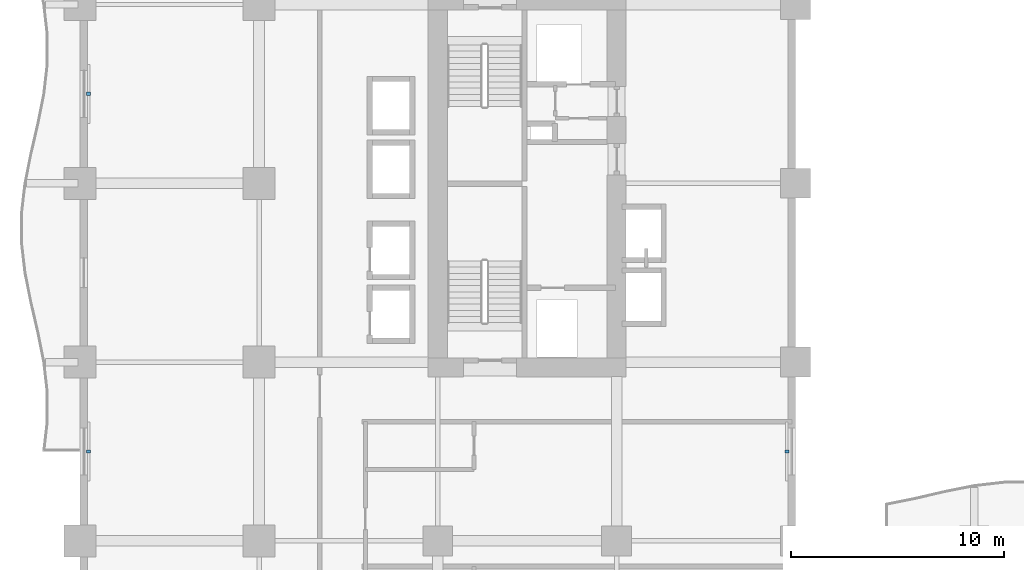
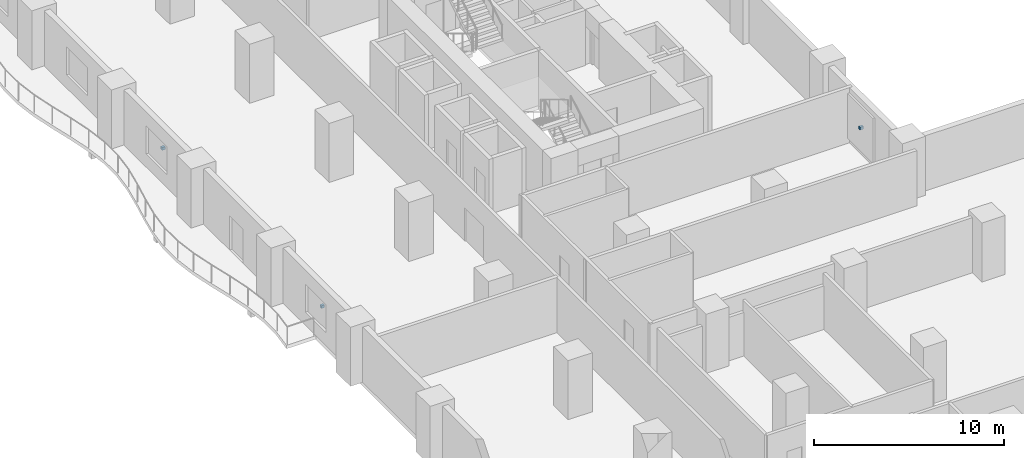
# One storey, part 14 of 20: 3 discrete accessories.
"""IFC4 building model written with IfcOpenShell, lengths in metres."""

import ifcopenshell
import ifcopenshell.guid

model = None  # the IFC model being written
_history = None  # IfcOwnerHistory: only IFC2X3 demands one
_inside = {}  # id of a spatial element -> (the spatial element, [elements in it])
_under = {}  # id of a project, library or spatial element -> (it, [spatial elements below it])
_declared = {}  # id of a project -> (the project, [libraries it declares])
_typed = {}  # id of a type object -> (the type object, [elements of that type])
_made_of = {}  # id of a material, layer set ... -> (it, [elements and type objects made of it])


def new_model(schema):
    """Start an empty IFC model of exactly this schema.

    Asked for "IFC4X3", IfcOpenShell would pick the latest addendum, in which some entities
    have other attributes; the version numbers below select the first issue.
    IFC2X3 requires an IfcOwnerHistory on every rooted entity: one is made here for all.
    """
    global model, _history
    if schema == "IFC4X3":
        model = ifcopenshell.file(schema_version=(4, 3, 0, 0))
    else:
        model = ifcopenshell.file(schema=schema)
    _inside.clear()
    _under.clear()
    _declared.clear()
    _typed.clear()
    _made_of.clear()
    _history = None
    if model.schema == "IFC2X3":
        org = make("IfcOrganization", Name="unknown")
        user = make(
            "IfcPersonAndOrganization",
            ThePerson=make("IfcPerson", FamilyName="unknown"),
            TheOrganization=org,
        )
        app = make(
            "IfcApplication",
            ApplicationDeveloper=org,
            Version="unknown",
            ApplicationFullName="unknown",
            ApplicationIdentifier="unknown",
        )
        _history = make(
            "IfcOwnerHistory",
            OwningUser=user,
            OwningApplication=app,
            ChangeAction="ADDED",
            CreationDate=0,
        )
    return model


def make(cls, **values):
    """One entity of the class cls with the attributes given. An attribute that is None is left unset."""
    return model.create_entity(
        cls, **{name: value for name, value in values.items() if value is not None}
    )


def rooted(cls, **values):
    """An entity with a GlobalId (a new one), such as an element, a storey or a relation."""
    return make(cls, GlobalId=ifcopenshell.guid.new(), OwnerHistory=_history, **values)


def si_unit(unit_type, name, prefix=None):
    """IfcSIUnit, for example si_unit("LENGTHUNIT", "METRE", prefix="MILLI")."""
    return make("IfcSIUnit", UnitType=unit_type, Prefix=prefix, Name=name)


def assignment(units):
    """IfcUnitAssignment: the units of a project."""
    return None if units is None else make("IfcUnitAssignment", Units=units)


def point(xyz):
    """IfcCartesianPoint."""
    return None if xyz is None else make("IfcCartesianPoint", Coordinates=xyz)


def direction(xyz):
    """IfcDirection."""
    return None if xyz is None else make("IfcDirection", DirectionRatios=xyz)


def frame(location, z_axis=None, x_axis=None):
    """IfcAxis2Placement3D, a coordinate frame: its origin and axes. An axis left out is left unset."""
    return make(
        "IfcAxis2Placement3D",
        Location=point(location),
        Axis=direction(z_axis),
        RefDirection=direction(x_axis),
    )


def frame_2d(location, x_axis=None):
    """IfcAxis2Placement2D, a coordinate frame in the plane: its origin and x axis."""
    return make(
        "IfcAxis2Placement2D", Location=point(location), RefDirection=direction(x_axis)
    )


def origin():
    """The frame at (0, 0, 0) with its axes left unset."""
    return frame((0.0, 0.0, 0.0))


def origin_2d():
    """The frame at (0, 0) in the plane with its x axis left unset."""
    return frame_2d((0.0, 0.0))


def place(relative_to, where):
    """IfcLocalPlacement: puts the frame where relative to a parent placement (None: the world)."""
    return make(
        "IfcLocalPlacement", PlacementRelTo=relative_to, RelativePlacement=where
    )


def context(
    kind, dimensions, precision=None, world=None, true_north=None, identifier=None
):
    """IfcGeometricRepresentationContext, for example the 3D "Model" context."""
    return make(
        "IfcGeometricRepresentationContext",
        ContextIdentifier=identifier,
        ContextType=kind,
        CoordinateSpaceDimension=dimensions,
        Precision=precision,
        WorldCoordinateSystem=world,
        TrueNorth=true_north,
    )


def subcontext(parent, identifier, kind, view, scale=None):
    """IfcGeometricRepresentationSubContext, for example "Body" below "Model"."""
    return make(
        "IfcGeometricRepresentationSubContext",
        ContextIdentifier=identifier,
        ContextType=kind,
        ParentContext=parent,
        TargetScale=scale,
        TargetView=view,
    )


def project(units=None, contexts=None):
    """IfcProject with its units and contexts."""
    return rooted(
        "IfcProject",
        Name="project",
        RepresentationContexts=contexts,
        UnitsInContext=assignment(units),
    )


def spatial(cls, under=None, at=None, **own):
    """A site, building, storey or space (cls), placed at a placement, below another one or the project."""
    s = rooted(cls, ObjectPlacement=at, **own)
    if under is not None:
        _under.setdefault(under.id(), (under, []))[1].append(s)
    return s


def profile(cls, at=None, kind="AREA", **sizes):
    """A parametric profile (cls). Its sizes go by their IFC names, for example OverallWidth=200.0."""
    return make(cls, ProfileType=kind, Position=at, **sizes)


def rectangle(**sizes):
    """IfcRectangleProfileDef."""
    return profile("IfcRectangleProfileDef", **sizes)


def extrude(swept, where, along, depth):
    """IfcExtrudedAreaSolid: the profile swept, set in the frame where, extruded along a direction by depth."""
    return make(
        "IfcExtrudedAreaSolid",
        SweptArea=swept,
        Position=where,
        ExtrudedDirection=direction(along),
        Depth=depth,
    )


def shape(context_of_items, identifier, shape_type, items):
    """IfcShapeRepresentation: the items that make up one representation, for example the "Body"."""
    return make(
        "IfcShapeRepresentation",
        ContextOfItems=context_of_items,
        RepresentationIdentifier=identifier,
        RepresentationType=shape_type,
        Items=items,
    )


def material(Name=None, Category=None):
    """IfcMaterial."""
    return make("IfcMaterial", Name=Name, Category=Category)


def made_of(thing, what):
    """Note that an element or type object is made of a material, layer set ...; save() writes the relation."""
    if what is not None:
        _made_of.setdefault(what.id(), (what, []))[1].append(thing)
    return thing


def type_object(cls, material=None, **own):
    """A type object (cls), such as IfcWallType, which elements share."""
    return made_of(rooted(cls, **own), material)


def element(
    cls,
    number,
    at=None,
    inside=None,
    cuts=None,
    type_object=None,
    material=None,
    context=None,
    identifier="Body",
    shape_type=None,
    held_by="IfcProductDefinitionShape",
    body=None,
    shapes=None,
    **own,
):
    """One element of the class cls, such as IfcWall. Its Tag is "e" and its number.

    at: its placement. inside: the storey or other place that contains it. cuts: it is an
    opening in that element (IfcRelVoidsElement). A single representation is given by context,
    identifier, shape_type and body (its items); several are given by shapes. held_by: the class
    of the entity that holds the representations. save() writes the other relations.
    """
    e = rooted(cls, Tag="e%d" % number, ObjectPlacement=at, **own)
    if body is not None:
        shapes = [shape(context, identifier, shape_type, body)]
    if shapes is not None:
        e.Representation = make(held_by, Representations=shapes)
    if inside is not None:
        _inside.setdefault(inside.id(), (inside, []))[1].append(e)
    if cuts is not None:
        rooted(
            "IfcRelVoidsElement", RelatingBuildingElement=cuts, RelatedOpeningElement=e
        )
    if type_object is not None:
        _typed.setdefault(type_object.id(), (type_object, []))[1].append(e)
    return made_of(e, material)


def aggregate(whole, parts):
    """IfcRelAggregates: a whole, such as a stair, and the parts it consists of."""
    return rooted("IfcRelAggregates", RelatingObject=whole, RelatedObjects=parts)


def save(model, path):
    """Write the relations noted so far, then the file.

    IfcRelAggregates (storeys below a building ...), IfcRelContainedInSpatialStructure (elements
    in a storey), IfcRelDefinesByType, IfcRelAssociatesMaterial and IfcRelDeclares: one each for
    every whole, place, type object, material and project.
    """
    for whole, parts in _under.values():
        aggregate(whole, parts)
    for where, things in _inside.values():
        rooted(
            "IfcRelContainedInSpatialStructure",
            RelatedElements=things,
            RelatingStructure=where,
        )
    for kind, things in _typed.values():
        rooted("IfcRelDefinesByType", RelatedObjects=things, RelatingType=kind)
    for what, things in _made_of.values():
        rooted("IfcRelAssociatesMaterial", RelatedObjects=things, RelatingMaterial=what)
    for by, libraries in _declared.values():
        rooted("IfcRelDeclares", RelatingContext=by, RelatedDefinitions=libraries)
    model.write(path)


model = new_model("IFC4")

# Units and contexts
model_context = context("Model", 3, precision=1e-05, world=origin(), true_north=direction((0.0, 1.0)))
body_context = subcontext(model_context, "Body", "Model", "MODEL_VIEW")
ifc_project = project(units=[si_unit("LENGTHUNIT", "METRE"), si_unit("AREAUNIT", "SQUARE_METRE"), si_unit("VOLUMEUNIT", "CUBIC_METRE"), si_unit("PLANEANGLEUNIT", "RADIAN"), si_unit("MASSUNIT", "GRAM", prefix="KILO")], contexts=[model_context])

# Site, building, storey
site_placement = place(None, origin())
site = spatial("IfcSite", under=ifc_project, at=site_placement, CompositionType="ELEMENT")
building_placement = place(site_placement, origin())
building = spatial("IfcBuilding", under=site, at=building_placement, Name="Koriwani Terraces Tower", CompositionType="ELEMENT")
storey_placement = place(building_placement, frame((0.0, 0.0, 58.60009765625)))
storey = spatial("IfcBuildingStorey", under=building, at=storey_placement, Name="L13", CompositionType="ELEMENT", Elevation=58.60009765625)

# Discrete accessories
ifc_material = material(Name="Steel ASTM A572 Grade 50", Category="steel")
discrete_accessory_type = type_object("IfcDiscreteAccessoryType", Name="BAGUETTE_STANDOFF_BRACKET", PredefinedType="BRACKET", material=ifc_material)
for number, where, z_axis, x_axis, name in (
    (1, (0.389892578125, 37.800048828125, 1.68505859375), (0.0, 0.0, 1.0), (0.0, 1.0, 0.0), "L13 Terracotta Baguette Bracket (W-12)"),
    (2, (0.389892578125, 54.60009765625, 1.68505859375), (0.0, 0.0, 1.0), (0.0, 1.0, 0.0), "L13 Terracotta Baguette Bracket (W-18)"),
    (3, (33.2099609375, 37.800048828125, 1.68505859375), (0.0, 0.0, 1.0), (0.0, -1.0, 0.0), "L13 Terracotta Baguette Bracket (NW_IN-2)"),
):
    element("IfcDiscreteAccessory", number, at=place(storey_placement, frame(where, z_axis=z_axis, x_axis=x_axis)), inside=storey, type_object=discrete_accessory_type, Name=name, PredefinedType="BRACKET", context=body_context, shape_type="SweptSolid", body=[
        extrude(rectangle(XDim=0.159912109375, YDim=0.199951171875, at=origin_2d()), origin(), (0.0, 0.0, 1.0), 0.179931640625),
    ])

save(model, "model.ifc")
